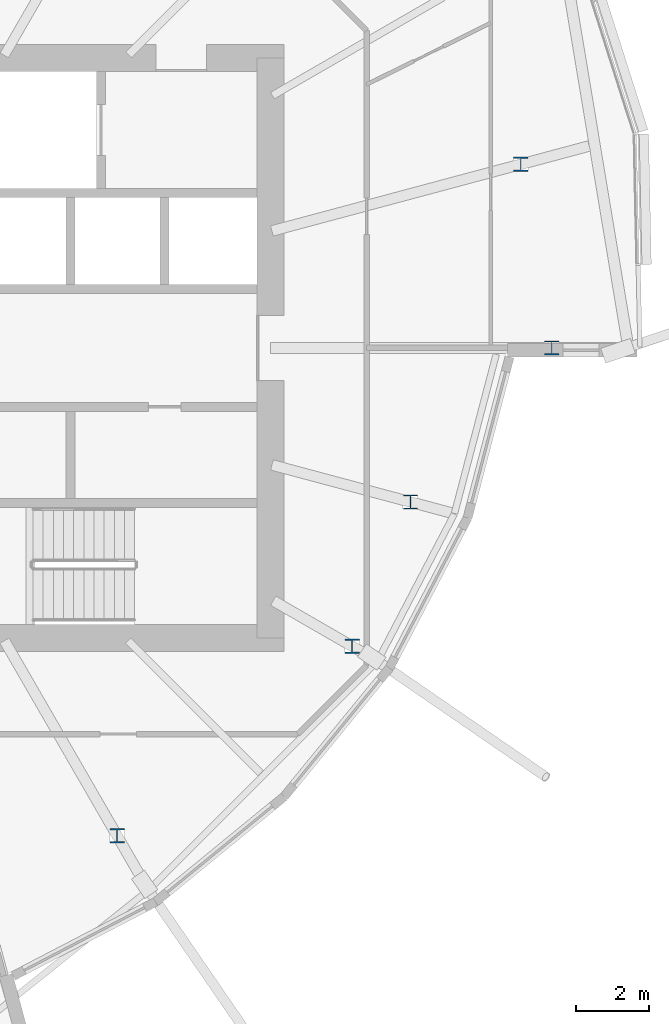
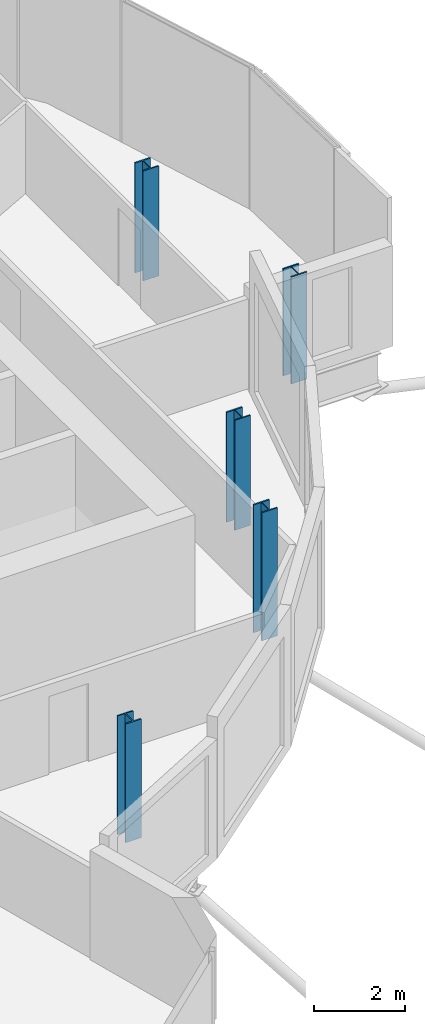
# One storey, part 2 of 39: 5 columns.
"""IFC4 building model written with IfcOpenShell, lengths in metres."""

from ifc_helpers import new_model, si_unit, direction, frame, origin, origin_2d, place, context, subcontext, project, spatial, i_section, extrude, material, material_profile, profile_set, type_object, element, save


model = new_model("IFC4")

# Units and contexts
model_context = context("Model", 3, precision=1e-05, world=origin(), true_north=direction((0.0, 1.0)))
body_context = subcontext(model_context, "Body", "Model", "MODEL_VIEW")
ifc_project = project(units=[si_unit("LENGTHUNIT", "METRE"), si_unit("AREAUNIT", "SQUARE_METRE"), si_unit("VOLUMEUNIT", "CUBIC_METRE"), si_unit("PLANEANGLEUNIT", "RADIAN"), si_unit("MASSUNIT", "GRAM", prefix="KILO")], contexts=[model_context])

# Site, building, storey
site_placement = place(None, origin())
site = spatial("IfcSite", under=ifc_project, at=site_placement, CompositionType="ELEMENT")
building_placement = place(site_placement, origin())
building = spatial("IfcBuilding", under=site, at=building_placement, Name="Rimbun Link Towers", CompositionType="ELEMENT")
storey_placement = place(building_placement, frame((0.0, 0.0, 96.800048828125)))
storey = spatial("IfcBuildingStorey", under=building, at=storey_placement, Name="L23", CompositionType="ELEMENT", Elevation=96.800048828125)

# Columns
ifc_material = material(Name="Steel S355J2", Category="steel")
ifc_material_profile = material_profile(ifc_material, i_section(OverallWidth=0.39892578125, OverallDepth=0.3935546875, WebThickness=0.022705078125, FlangeThickness=0.03662109375, at=origin_2d()), Name="UC 356x406x287")
ifc_profile_set = profile_set([ifc_material_profile], Name="Steel S355J2")
column_type = type_object("IfcColumnType", Name="UC 356x406x287", PredefinedType="COLUMN", material=ifc_profile_set)
column_1_placement = place(storey_placement, frame((39.517578125, -13.45361328125, -0.16015625), z_axis=(0.0, 0.0, 1.0), x_axis=(1.0, 0.0, 0.0)))
element("IfcColumn", 1, at=column_1_placement, inside=storey, type_object=column_type, Name="Crease post T2 L23 17", PredefinedType="COLUMN", context=body_context, shape_type="SweptSolid", body=[
    extrude(i_section(OverallWidth=0.39892578125, OverallDepth=0.3935546875, WebThickness=0.022705078125, FlangeThickness=0.03662109375, at=origin_2d()), origin(), (0.0, 0.0, 1.0), 3.197509765625),
])
column_2_placement = place(storey_placement, frame((46.0009765625, -8.227783203125, -0.16015625), z_axis=(0.0, 0.0, 1.0), x_axis=(1.0, 0.0, 0.0)))
element("IfcColumn", 2, at=column_2_placement, inside=storey, type_object=column_type, Name="Crease post T2 L23 19", PredefinedType="COLUMN", context=body_context, shape_type="SweptSolid", body=[
    extrude(i_section(OverallWidth=0.39892578125, OverallDepth=0.3935546875, WebThickness=0.022705078125, FlangeThickness=0.03662109375, at=origin_2d()), origin(), (0.0, 0.0, 1.0), 3.445068359375),
])
column_3_placement = place(storey_placement, frame((47.610107421875, -4.249755859375, -0.16015625), z_axis=(0.0, 0.0, 1.0), x_axis=(1.0, 0.0, 0.0)))
element("IfcColumn", 3, at=column_3_placement, inside=storey, type_object=column_type, Name="Crease post T2 L23 20", PredefinedType="COLUMN", context=body_context, shape_type="SweptSolid", body=[
    extrude(i_section(OverallWidth=0.39892578125, OverallDepth=0.3935546875, WebThickness=0.022705078125, FlangeThickness=0.03662109375, at=origin_2d()), origin(), (0.0, 0.0, 1.0), 2.95947265625),
])
column_4_placement = place(storey_placement, frame((51.5078125, 0.0, -0.16015625), z_axis=(0.0, 0.0, 1.0), x_axis=(1.0, 0.0, 0.0)))
element("IfcColumn", 4, at=column_4_placement, inside=storey, type_object=column_type, Name="Crease post T2 L23 21", PredefinedType="COLUMN", context=body_context, shape_type="SweptSolid", body=[
    extrude(i_section(OverallWidth=0.39892578125, OverallDepth=0.3935546875, WebThickness=0.022705078125, FlangeThickness=0.03662109375, at=origin_2d()), origin(), (0.0, 0.0, 1.0), 2.881591796875),
])
column_5_placement = place(storey_placement, frame((50.653564453125, 5.065185546875, -0.16015625), z_axis=(0.0, 0.0, 1.0), x_axis=(1.0, 0.0, 0.0)))
element("IfcColumn", 5, at=column_5_placement, inside=storey, type_object=column_type, Name="Crease post T2 L23 22", PredefinedType="COLUMN", context=body_context, shape_type="SweptSolid", body=[
    extrude(i_section(OverallWidth=0.39892578125, OverallDepth=0.3935546875, WebThickness=0.022705078125, FlangeThickness=0.03662109375, at=origin_2d()), origin(), (0.0, 0.0, 1.0), 2.95947265625),
])

save(model, "model.ifc")
